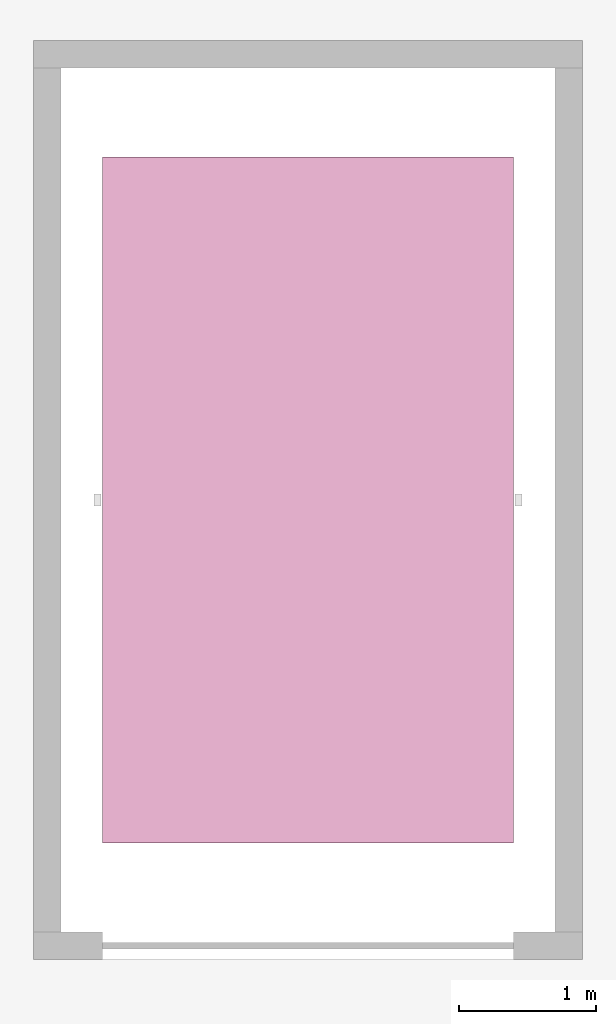
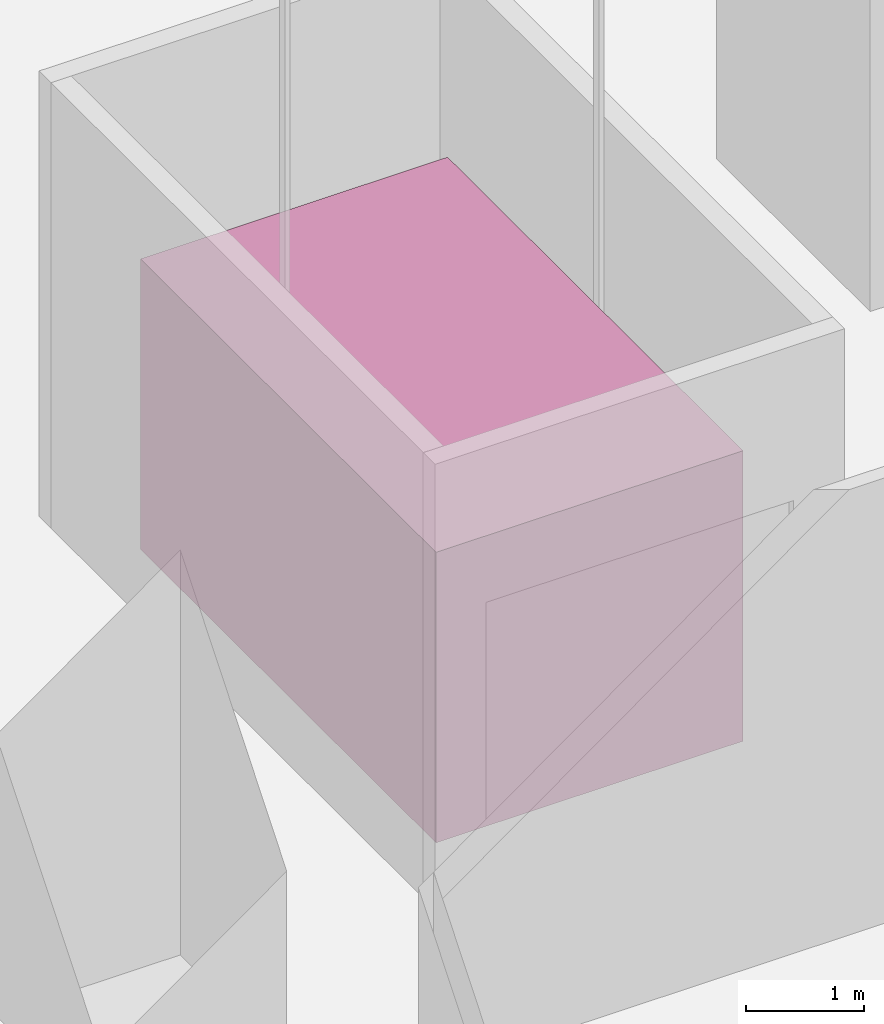
# One storey, part 18 of 20: 1 transport element.
"""IFC4 building model written with IfcOpenShell, lengths in metres."""

from ifc_helpers import new_model, si_unit, direction, frame, origin, origin_2d, place, context, subcontext, project, spatial, rectangle, extrude, material, type_object, element, save


model = new_model("IFC4")

# Units and contexts
model_context = context("Model", 3, precision=1e-05, world=origin(), true_north=direction((0.0, 1.0)))
body_context = subcontext(model_context, "Body", "Model", "MODEL_VIEW")
ifc_project = project(units=[si_unit("LENGTHUNIT", "METRE"), si_unit("AREAUNIT", "SQUARE_METRE"), si_unit("VOLUMEUNIT", "CUBIC_METRE"), si_unit("PLANEANGLEUNIT", "RADIAN"), si_unit("MASSUNIT", "GRAM", prefix="KILO")], contexts=[model_context])

# Site, building, storey
site_placement = place(None, origin())
site = spatial("IfcSite", under=ifc_project, at=site_placement, CompositionType="ELEMENT")
building_placement = place(site_placement, origin())
building = spatial("IfcBuilding", under=site, at=building_placement, Name="Mizan Broadcast Tower", CompositionType="ELEMENT")
storey_placement = place(building_placement, frame((0.0, 0.0, -5.0)))
storey = spatial("IfcBuildingStorey", under=building, at=storey_placement, Name="B1", CompositionType="ELEMENT", Elevation=-5.0)

# Transport element
ifc_material = material(Name="Stainless steel lift car", Category="steel")
transport_element_type = type_object("IfcTransportElementType", Name="LIFT CAR GOODS 3000x5000", PredefinedType="ELEVATOR", material=ifc_material)
transport_element_placement = place(storey_placement, frame((-6.89990234375, 23.25, 0.0), z_axis=(0.0, 0.0, 1.0), x_axis=(1.0, 0.0, 0.0)))
element("IfcTransportElement", 1, at=transport_element_placement, inside=storey, type_object=transport_element_type, Name="Lift GL1", PredefinedType="ELEVATOR", context=body_context, shape_type="SweptSolid", body=[
    extrude(rectangle(XDim=3.0, YDim=5.0, at=origin_2d()), origin(), (0.0, 0.0, 1.0), 3.0),
])

save(model, "model.ifc")
